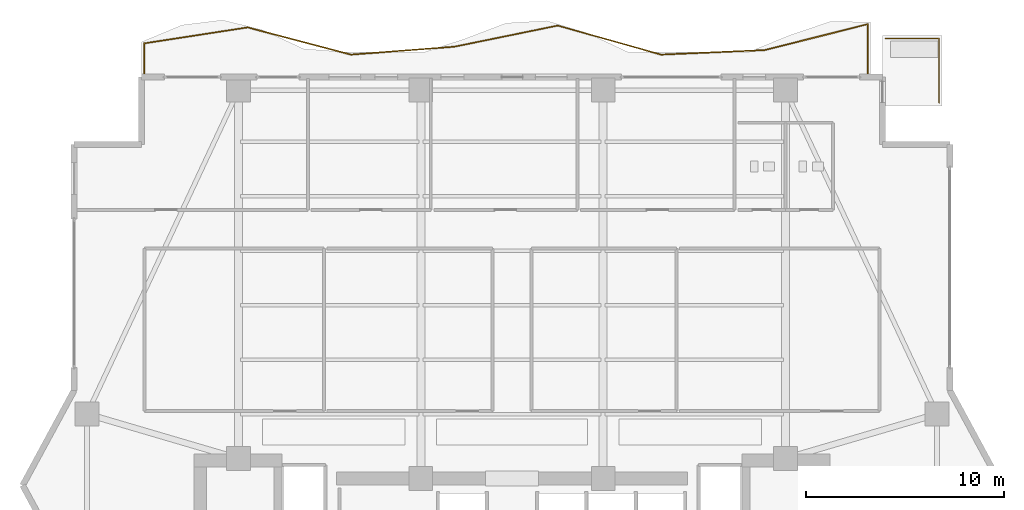
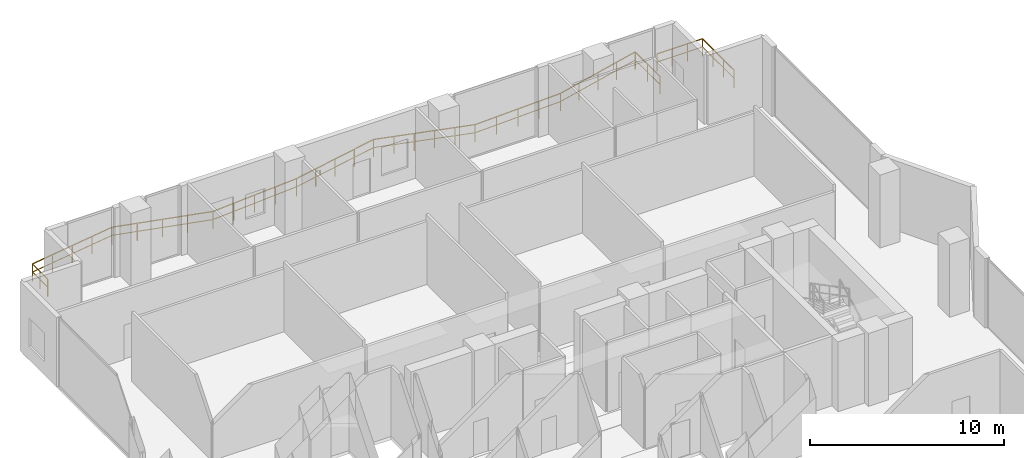
# One storey, part 30 of 31: 2 railings.
"""IFC4 building model written with IfcOpenShell, lengths in metres."""

from ifc_helpers import new_model, si_unit, direction, frame, origin, origin_2d, place, context, subcontext, project, spatial, rectangle, extrude, material, type_object, element, save


model = new_model("IFC4")

# Units and contexts
model_context = context("Model", 3, precision=1e-05, world=origin(), true_north=direction((0.0, 1.0)))
body_context = subcontext(model_context, "Body", "Model", "MODEL_VIEW")
ifc_project = project(units=[si_unit("LENGTHUNIT", "METRE"), si_unit("AREAUNIT", "SQUARE_METRE"), si_unit("VOLUMEUNIT", "CUBIC_METRE"), si_unit("PLANEANGLEUNIT", "RADIAN"), si_unit("MASSUNIT", "GRAM", prefix="KILO")], contexts=[model_context])

# Site, building, storey
site_placement = place(None, origin())
site = spatial("IfcSite", under=ifc_project, at=site_placement, CompositionType="ELEMENT")
building_placement = place(site_placement, origin())
building = spatial("IfcBuilding", under=site, at=building_placement, Name="Zuhayl Quay Hotel", CompositionType="ELEMENT")
storey_placement = place(building_placement, frame((0.0, 0.0, 172.800048828125)))
storey = spatial("IfcBuildingStorey", under=building, at=storey_placement, Name="L43", CompositionType="ELEMENT", Elevation=172.800048828125)

# Railings
ifc_material = material(Name="Anodised Aluminium and Laminated Glass", Category="aluminium")
railing_type = type_object("IfcRailingType", Name="RL_EXT_BAL_1100", PredefinedType="BALUSTRADE", material=ifc_material)
railing_1_placement = place(storey_placement, frame((-18.56005859375, 33.719970703125, 0.0)))
element("IfcRailing", 1, at=railing_1_placement, inside=storey, type_object=railing_type, Name="L43 Balcony and Terrace Guard GR_L43_BAL_N", PredefinedType="BALUSTRADE", context=body_context, shape_type="SweptSolid", body=[
    extrude(rectangle(XDim=0.048095703125, YDim=0.048095703125, at=origin_2d()), frame((0.0, 0.0, 1.09619140625), z_axis=(0.0, 1.0, 0.0), x_axis=(-1.0, 0.0, 0.0)), (0.0, 0.0, 1.0), 1.5888671875),
    extrude(rectangle(XDim=0.0361328125, YDim=0.0361328125, at=origin_2d()), frame((0.0, 0.0, 0.58251953125), z_axis=(0.0, 1.0, 0.0), x_axis=(-1.0, 0.0, 0.0)), (0.0, 0.0, 1.0), 1.5888671875),
    extrude(rectangle(XDim=0.048095703125, YDim=0.048095703125, at=origin_2d()), frame((0.0, 1.5888671875, 1.09619140625), z_axis=(0.988284921549, 0.152620161969, 0.0), x_axis=(-0.152620161969, 0.988284921549, 0.0)), (0.0, 0.0, 1.0), 5.27880859375),
    extrude(rectangle(XDim=0.0361328125, YDim=0.0361328125, at=origin_2d()), frame((0.0, 1.5888671875, 0.58251953125), z_axis=(0.988284921549, 0.152620161969, 0.0), x_axis=(-0.152620161969, 0.988284921549, 0.0)), (0.0, 0.0, 1.0), 5.27880859375),
    extrude(rectangle(XDim=0.048095703125, YDim=0.048095703125, at=origin_2d()), frame((5.217041015625, 2.39453125, 1.09619140625), z_axis=(0.967004162691, -0.254760572576, 0.0), x_axis=(0.254760572576, 0.967004162691, 0.0)), (0.0, 0.0, 1.0), 5.395263671875),
    extrude(rectangle(XDim=0.0361328125, YDim=0.0361328125, at=origin_2d()), frame((5.217041015625, 2.39453125, 0.58251953125), z_axis=(0.967004162691, -0.254760572576, 0.0), x_axis=(0.254760572576, 0.967004162691, 0.0)), (0.0, 0.0, 1.0), 5.395263671875),
    extrude(rectangle(XDim=0.048095703125, YDim=0.048095703125, at=origin_2d()), frame((10.434326171875, 1.02001953125, 1.09619140625), z_axis=(0.997096330832, 0.076150555099, 0.0), x_axis=(-0.076150555099, 0.997096330832, 0.0)), (0.0, 0.0, 1.0), 5.232177734375),
    extrude(rectangle(XDim=0.0361328125, YDim=0.0361328125, at=origin_2d()), frame((10.434326171875, 1.02001953125, 0.58251953125), z_axis=(0.997096330832, 0.076150555099, 0.0), x_axis=(-0.076150555099, 0.997096330832, 0.0)), (0.0, 0.0, 1.0), 5.232177734375),
    extrude(rectangle(XDim=0.048095703125, YDim=0.048095703125, at=origin_2d()), frame((15.6513671875, 1.41845703125, 1.09619140625), z_axis=(0.979680142678, 0.200566243529, 0.0), x_axis=(-0.200566243529, 0.979680142678, 0.0)), (0.0, 0.0, 1.0), 5.325439453125),
    extrude(rectangle(XDim=0.0361328125, YDim=0.0361328125, at=origin_2d()), frame((15.6513671875, 1.41845703125, 0.58251953125), z_axis=(0.979680142678, 0.200566243529, 0.0), x_axis=(-0.200566243529, 0.979680142678, 0.0)), (0.0, 0.0, 1.0), 5.325439453125),
    extrude(rectangle(XDim=0.048095703125, YDim=0.048095703125, at=origin_2d()), frame((20.86865234375, 2.486572265625, 1.09619140625), z_axis=(0.962686523858, -0.270619025168, 0.0), x_axis=(0.270619025168, 0.962686523858, 0.0)), (0.0, 0.0, 1.0), 5.419189453125),
    extrude(rectangle(XDim=0.0361328125, YDim=0.0361328125, at=origin_2d()), frame((20.86865234375, 2.486572265625, 0.58251953125), z_axis=(0.962686523858, -0.270619025168, 0.0), x_axis=(0.270619025168, 0.962686523858, 0.0)), (0.0, 0.0, 1.0), 5.419189453125),
    extrude(rectangle(XDim=0.048095703125, YDim=0.048095703125, at=origin_2d()), frame((26.085693359375, 1.02001953125, 1.09619140625), z_axis=(0.999048291561, 0.043617784559, 0.0), x_axis=(-0.043617784559, 0.999048291561, 0.0)), (0.0, 0.0, 1.0), 5.22216796875),
    extrude(rectangle(XDim=0.0361328125, YDim=0.0361328125, at=origin_2d()), frame((26.085693359375, 1.02001953125, 0.58251953125), z_axis=(0.999048291561, 0.043617784559, 0.0), x_axis=(-0.043617784559, 0.999048291561, 0.0)), (0.0, 0.0, 1.0), 5.22216796875),
    extrude(rectangle(XDim=0.048095703125, YDim=0.048095703125, at=origin_2d()), frame((31.302978515625, 1.247802734375, 1.09619140625), z_axis=(0.969877610758, 0.243592734191, 0.0), x_axis=(-0.243592734191, 0.969877610758, 0.0)), (0.0, 0.0, 1.0), 5.379150390625),
    extrude(rectangle(XDim=0.0361328125, YDim=0.0361328125, at=origin_2d()), frame((31.302978515625, 1.247802734375, 0.58251953125), z_axis=(0.969877610758, 0.243592734191, 0.0), x_axis=(-0.243592734191, 0.969877610758, 0.0)), (0.0, 0.0, 1.0), 5.379150390625),
    extrude(rectangle(XDim=0.048095703125, YDim=0.048095703125, at=origin_2d()), frame((36.52001953125, 2.55810546875, 1.09619140625), z_axis=(0.0, -1.0, 0.0), x_axis=(1.0, 0.0, 0.0)), (0.0, 0.0, 1.0), 2.55810546875),
    extrude(rectangle(XDim=0.0361328125, YDim=0.0361328125, at=origin_2d()), frame((36.52001953125, 2.55810546875, 0.58251953125), z_axis=(0.0, -1.0, 0.0), x_axis=(1.0, 0.0, 0.0)), (0.0, 0.0, 1.0), 2.55810546875),
    extrude(rectangle(XDim=0.0419921875, YDim=0.0419921875, at=origin_2d()), origin(), (0.0, 0.0, 1.0), 1.072021484375),
    extrude(rectangle(XDim=0.0419921875, YDim=0.0419921875, at=origin_2d()), frame((0.0, 0.79443359375, 0.0)), (0.0, 0.0, 1.0), 1.072021484375),
    extrude(rectangle(XDim=0.0419921875, YDim=0.0419921875, at=origin_2d()), frame((0.0, 1.5888671875, 0.0)), (0.0, 0.0, 1.0), 1.072021484375),
    extrude(rectangle(XDim=0.0419921875, YDim=0.0419921875, at=origin_2d()), frame((1.30419921875, 1.790283203125, 0.0)), (0.0, 0.0, 1.0), 1.072021484375),
    extrude(rectangle(XDim=0.0419921875, YDim=0.0419921875, at=origin_2d()), frame((2.6083984375, 1.99169921875, 0.0)), (0.0, 0.0, 1.0), 1.072021484375),
    extrude(rectangle(XDim=0.0419921875, YDim=0.0419921875, at=origin_2d()), frame((3.912841796875, 2.193115234375, 0.0)), (0.0, 0.0, 1.0), 1.072021484375),
    extrude(rectangle(XDim=0.0419921875, YDim=0.0419921875, at=origin_2d()), frame((5.217041015625, 2.39453125, 0.0)), (0.0, 0.0, 1.0), 1.072021484375),
    extrude(rectangle(XDim=0.0419921875, YDim=0.0419921875, at=origin_2d()), frame((6.521484375, 2.05078125, 0.0)), (0.0, 0.0, 1.0), 1.072021484375),
    extrude(rectangle(XDim=0.0419921875, YDim=0.0419921875, at=origin_2d()), frame((7.82568359375, 1.707275390625, 0.0)), (0.0, 0.0, 1.0), 1.072021484375),
    extrude(rectangle(XDim=0.0419921875, YDim=0.0419921875, at=origin_2d()), frame((9.1298828125, 1.36376953125, 0.0)), (0.0, 0.0, 1.0), 1.072021484375),
    extrude(rectangle(XDim=0.0419921875, YDim=0.0419921875, at=origin_2d()), frame((10.434326171875, 1.02001953125, 0.0)), (0.0, 0.0, 1.0), 1.072021484375),
    extrude(rectangle(XDim=0.0419921875, YDim=0.0419921875, at=origin_2d()), frame((11.738525390625, 1.11962890625, 0.0)), (0.0, 0.0, 1.0), 1.072021484375),
    extrude(rectangle(XDim=0.0419921875, YDim=0.0419921875, at=origin_2d()), frame((13.04296875, 1.21923828125, 0.0)), (0.0, 0.0, 1.0), 1.072021484375),
    extrude(rectangle(XDim=0.0419921875, YDim=0.0419921875, at=origin_2d()), frame((14.34716796875, 1.31884765625, 0.0)), (0.0, 0.0, 1.0), 1.072021484375),
    extrude(rectangle(XDim=0.0419921875, YDim=0.0419921875, at=origin_2d()), frame((15.6513671875, 1.41845703125, 0.0)), (0.0, 0.0, 1.0), 1.072021484375),
    extrude(rectangle(XDim=0.0419921875, YDim=0.0419921875, at=origin_2d()), frame((16.95556640625, 1.685546875, 0.0)), (0.0, 0.0, 1.0), 1.072021484375),
    extrude(rectangle(XDim=0.0419921875, YDim=0.0419921875, at=origin_2d()), frame((18.260009765625, 1.95263671875, 0.0)), (0.0, 0.0, 1.0), 1.072021484375),
    extrude(rectangle(XDim=0.0419921875, YDim=0.0419921875, at=origin_2d()), frame((19.564453125, 2.219482421875, 0.0)), (0.0, 0.0, 1.0), 1.072021484375),
    extrude(rectangle(XDim=0.0419921875, YDim=0.0419921875, at=origin_2d()), frame((20.86865234375, 2.486572265625, 0.0)), (0.0, 0.0, 1.0), 1.072021484375),
    extrude(rectangle(XDim=0.0419921875, YDim=0.0419921875, at=origin_2d()), frame((21.912109375, 2.193359375, 0.0)), (0.0, 0.0, 1.0), 1.072021484375),
    extrude(rectangle(XDim=0.0419921875, YDim=0.0419921875, at=origin_2d()), frame((22.95556640625, 1.89990234375, 0.0)), (0.0, 0.0, 1.0), 1.072021484375),
    extrude(rectangle(XDim=0.0419921875, YDim=0.0419921875, at=origin_2d()), frame((23.998779296875, 1.606689453125, 0.0)), (0.0, 0.0, 1.0), 1.072021484375),
    extrude(rectangle(XDim=0.0419921875, YDim=0.0419921875, at=origin_2d()), frame((25.042236328125, 1.313232421875, 0.0)), (0.0, 0.0, 1.0), 1.072021484375),
    extrude(rectangle(XDim=0.0419921875, YDim=0.0419921875, at=origin_2d()), frame((26.085693359375, 1.02001953125, 0.0)), (0.0, 0.0, 1.0), 1.072021484375),
    extrude(rectangle(XDim=0.0419921875, YDim=0.0419921875, at=origin_2d()), frame((27.39013671875, 1.076904296875, 0.0)), (0.0, 0.0, 1.0), 1.072021484375),
    extrude(rectangle(XDim=0.0419921875, YDim=0.0419921875, at=origin_2d()), frame((28.6943359375, 1.1337890625, 0.0)), (0.0, 0.0, 1.0), 1.072021484375),
    extrude(rectangle(XDim=0.0419921875, YDim=0.0419921875, at=origin_2d()), frame((29.99853515625, 1.19091796875, 0.0)), (0.0, 0.0, 1.0), 1.072021484375),
    extrude(rectangle(XDim=0.0419921875, YDim=0.0419921875, at=origin_2d()), frame((31.302978515625, 1.247802734375, 0.0)), (0.0, 0.0, 1.0), 1.072021484375),
    extrude(rectangle(XDim=0.0419921875, YDim=0.0419921875, at=origin_2d()), frame((32.607177734375, 1.575439453125, 0.0)), (0.0, 0.0, 1.0), 1.072021484375),
    extrude(rectangle(XDim=0.0419921875, YDim=0.0419921875, at=origin_2d()), frame((33.91162109375, 1.90283203125, 0.0)), (0.0, 0.0, 1.0), 1.072021484375),
    extrude(rectangle(XDim=0.0419921875, YDim=0.0419921875, at=origin_2d()), frame((35.2158203125, 2.23046875, 0.0)), (0.0, 0.0, 1.0), 1.072021484375),
    extrude(rectangle(XDim=0.0419921875, YDim=0.0419921875, at=origin_2d()), frame((36.52001953125, 2.55810546875, 0.0)), (0.0, 0.0, 1.0), 1.072021484375),
    extrude(rectangle(XDim=0.0419921875, YDim=0.0419921875, at=origin_2d()), frame((36.52001953125, 1.279052734375, 0.0)), (0.0, 0.0, 1.0), 1.072021484375),
    extrude(rectangle(XDim=0.0419921875, YDim=0.0419921875, at=origin_2d()), frame((36.52001953125, 0.0, 0.0)), (0.0, 0.0, 1.0), 1.072021484375),
])
railing_2_placement = place(storey_placement, frame((21.56005859375, 32.2900390625, 0.0)))
element("IfcRailing", 2, at=railing_2_placement, inside=storey, type_object=railing_type, Name="L43 Balcony and Terrace Guard GR_L43_SPIRAL_NE", PredefinedType="BALUSTRADE", context=body_context, shape_type="SweptSolid", body=[
    extrude(rectangle(XDim=0.048095703125, YDim=0.048095703125, at=origin_2d()), frame((0.0, 0.0, 1.09619140625), z_axis=(0.0, 1.0, 0.0), x_axis=(-1.0, 0.0, 0.0)), (0.0, 0.0, 1.0), 3.27001953125),
    extrude(rectangle(XDim=0.0361328125, YDim=0.0361328125, at=origin_2d()), frame((0.0, 0.0, 0.58251953125), z_axis=(0.0, 1.0, 0.0), x_axis=(-1.0, 0.0, 0.0)), (0.0, 0.0, 1.0), 3.27001953125),
    extrude(rectangle(XDim=0.048095703125, YDim=0.048095703125, at=origin_2d()), frame((0.0, 3.27001953125, 1.09619140625), z_axis=(-1.0, 0.0, 0.0), x_axis=(0.0, -1.0, 0.0)), (0.0, 0.0, 1.0), 2.719970703125),
    extrude(rectangle(XDim=0.0361328125, YDim=0.0361328125, at=origin_2d()), frame((0.0, 3.27001953125, 0.58251953125), z_axis=(-1.0, 0.0, 0.0), x_axis=(0.0, -1.0, 0.0)), (0.0, 0.0, 1.0), 2.719970703125),
    extrude(rectangle(XDim=0.0419921875, YDim=0.0419921875, at=origin_2d()), origin(), (0.0, 0.0, 1.0), 1.072021484375),
    extrude(rectangle(XDim=0.0419921875, YDim=0.0419921875, at=origin_2d()), frame((0.0, 1.090087890625, 0.0)), (0.0, 0.0, 1.0), 1.072021484375),
    extrude(rectangle(XDim=0.0419921875, YDim=0.0419921875, at=origin_2d()), frame((0.0, 2.179931640625, 0.0)), (0.0, 0.0, 1.0), 1.072021484375),
    extrude(rectangle(XDim=0.0419921875, YDim=0.0419921875, at=origin_2d()), frame((0.0, 3.27001953125, 0.0)), (0.0, 0.0, 1.0), 1.072021484375),
    extrude(rectangle(XDim=0.0419921875, YDim=0.0419921875, at=origin_2d()), frame((-0.90673828125, 3.27001953125, 0.0)), (0.0, 0.0, 1.0), 1.072021484375),
    extrude(rectangle(XDim=0.0419921875, YDim=0.0419921875, at=origin_2d()), frame((-1.813232421875, 3.27001953125, 0.0)), (0.0, 0.0, 1.0), 1.072021484375),
    extrude(rectangle(XDim=0.0419921875, YDim=0.0419921875, at=origin_2d()), frame((-2.719970703125, 3.27001953125, 0.0)), (0.0, 0.0, 1.0), 1.072021484375),
])

save(model, "model.ifc")
